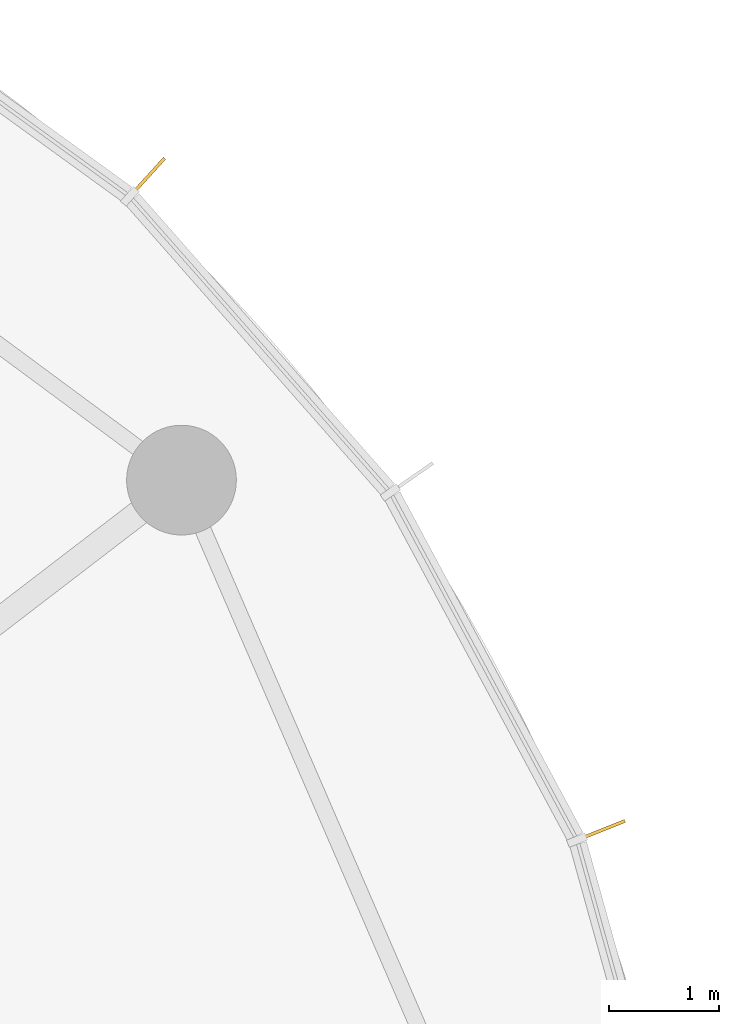
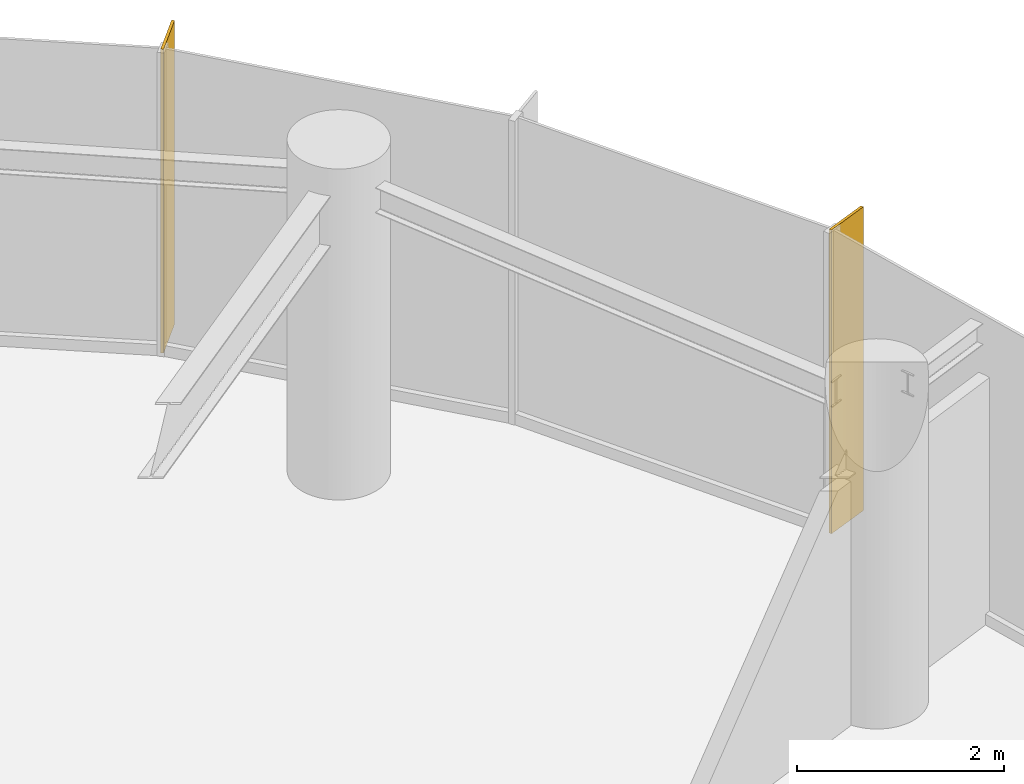
# One storey, part 14 of 14: 2 shading devices.
"""IFC4 building model written with IfcOpenShell, lengths in metres."""

from ifc_helpers import new_model, si_unit, direction, frame, origin, origin_2d, place, context, subcontext, project, spatial, rectangle, extrude, source, transform, mapped, material, material_profile, profile_set, type_object, element, save


model = new_model("IFC4")

# Units and contexts
model_context = context("Model", 3, precision=1e-05, world=origin(), true_north=direction((0.0, 1.0)))
body_context = subcontext(model_context, "Body", "Model", "MODEL_VIEW")
ifc_project = project(units=[si_unit("LENGTHUNIT", "METRE"), si_unit("AREAUNIT", "SQUARE_METRE"), si_unit("VOLUMEUNIT", "CUBIC_METRE"), si_unit("PLANEANGLEUNIT", "RADIAN"), si_unit("MASSUNIT", "GRAM", prefix="KILO")], contexts=[model_context])

# Site, building, storey
site_placement = place(None, origin())
site = spatial("IfcSite", under=ifc_project, at=site_placement, CompositionType="ELEMENT")
building_placement = place(site_placement, origin())
building = spatial("IfcBuilding", under=site, at=building_placement, Name="Spindrift Exchange Tower", CompositionType="ELEMENT")
storey_placement = place(building_placement, frame((0.0, 0.0, 156.5)))
storey = spatial("IfcBuildingStorey", under=building, at=storey_placement, Name="L37", CompositionType="ELEMENT", Elevation=156.5)

# Shading devices
ifc_material = material(Name="Bronze anodised aluminium", Category="aluminium")
ifc_material_profile = material_profile(ifc_material, rectangle(XDim=0.030029296875, YDim=0.5, at=origin_2d()), Name="WIND FIN 30X500")
ifc_profile_set = profile_set([ifc_material_profile], Name="Bronze anodised aluminium")
shading_device_type = type_object("IfcShadingDeviceType", Name="WIND FIN 30X500", PredefinedType="USERDEFINED", material=ifc_profile_set)
shared_shape = source(origin(), body_context, "Body", "SweptSolid", [
    extrude(rectangle(XDim=0.030029296875, YDim=0.5, at=origin_2d()), origin(), (0.0, 0.0, 1.0), 3.580078125),
])
for number, where, z_axis, x_axis, name in (
    (1, (71.50341796875, 65.961181640625, 0.0), (0.0, 0.0, 1.0), (-0.739763813605, 0.672866628746, 0.0), "L37 wind fin 3"),
    (2, (75.63525390625, 60.014892578125, 0.0), (0.0, 0.0, 1.0), (-0.372631491543, 0.927979402525, 0.0), "L37 wind fin 4"),
):
    element("IfcShadingDevice", number, at=place(storey_placement, frame(where, z_axis=z_axis, x_axis=x_axis)), inside=storey, type_object=shading_device_type, Name=name, ObjectType="FIN", PredefinedType="USERDEFINED", context=body_context, shape_type="MappedRepresentation", body=[
        mapped(shared_shape, transform((0.0, 0.0, 0.0), scale=1.0)),
    ])

save(model, "model.ifc")
